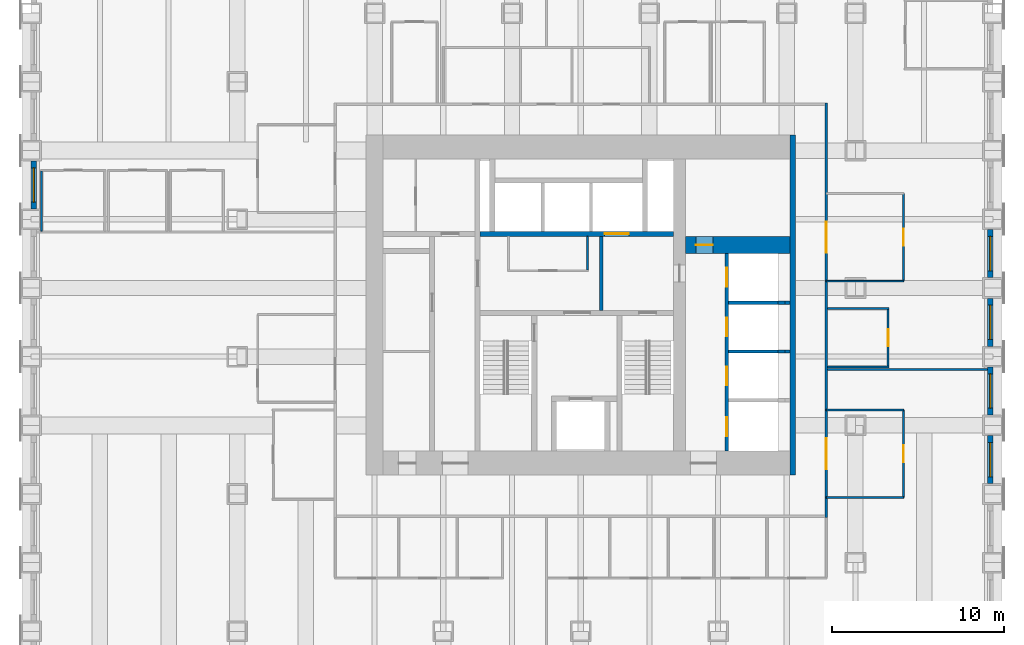
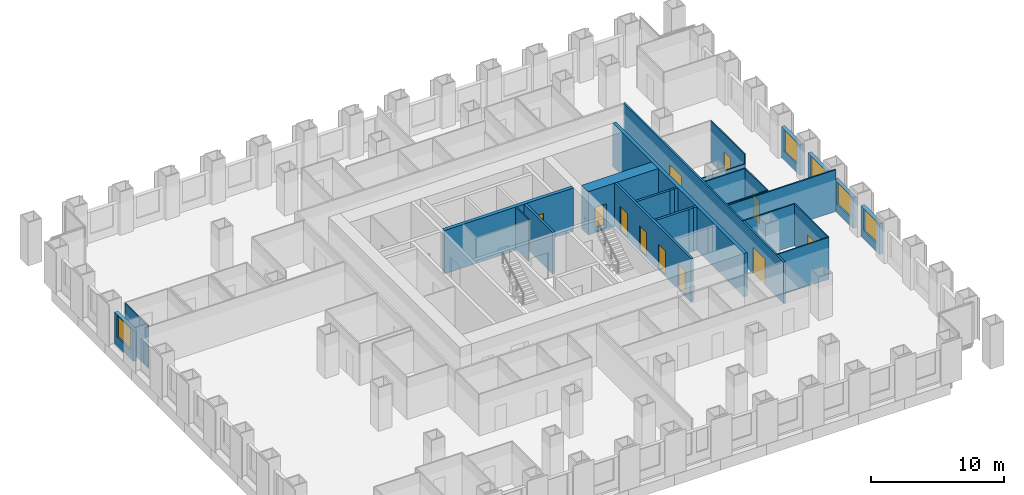
# One storey, part 10 of 14: 28 walls, 11 doors, 5 windows, 16 openings.
"""IFC4 building model written with IfcOpenShell, lengths in metres."""

from ifc_helpers import new_model, si_unit, direction, frame, frame_2d, origin, place, context, subcontext, project, spatial, rectangle, extrude, material, layer, layer_set, type_object, element, fill, save


model = new_model("IFC4")

# Units and contexts
model_context = context("Model", 3, precision=1e-05, world=origin(), true_north=direction((0.0, 1.0)))
body_context = subcontext(model_context, "Body", "Model", "MODEL_VIEW")
ifc_project = project(units=[si_unit("LENGTHUNIT", "METRE"), si_unit("AREAUNIT", "SQUARE_METRE"), si_unit("VOLUMEUNIT", "CUBIC_METRE"), si_unit("PLANEANGLEUNIT", "RADIAN"), si_unit("MASSUNIT", "GRAM", prefix="KILO")], contexts=[model_context])

# Site, building, storey
site_placement = place(None, origin())
site = spatial("IfcSite", under=ifc_project, at=site_placement, CompositionType="ELEMENT")
building_placement = place(site_placement, origin())
building = spatial("IfcBuilding", under=site, at=building_placement, Name="Rimbunsela Tower", CompositionType="ELEMENT")
storey_placement = place(building_placement, frame((0.0, 0.0, 59.0)))
storey = spatial("IfcBuildingStorey", under=building, at=storey_placement, Name="L14", CompositionType="ELEMENT", Elevation=59.0)

# Wall, opening, door
ifc_material_1 = material(Name="Concrete fc' 80 MPa", Category="concrete")
ifc_layer_1 = layer(ifc_material_1, 0.300048828125)
ifc_layer_set_1 = layer_set([ifc_layer_1], Name="Core internal wall 300")
wall_type_1 = type_object("IfcWallType", Name="Core internal wall 300", PredefinedType="SHEAR", material=ifc_layer_set_1)
wall_1_placement = place(storey_placement, frame((24.14990234375, 31.14990234375, -0.14990234375), z_axis=(0.0, 0.0, 1.0), x_axis=(1.0, 0.0, 0.0)))
wall_1 = element("IfcWall", 1, at=wall_1_placement, inside=storey, type_object=wall_type_1, Name="Lift shaft front north", PredefinedType="SHEAR", context=body_context, shape_type="SweptSolid", body=[
    extrude(rectangle(XDim=11.25, YDim=0.300048828125, at=frame_2d((5.625, 0.0))), origin(), (0.0, 0.0, 1.0), 4.0),
])
opening_1_placement = place(wall_1_placement, frame((7.25, 0.0, 0.14990234375)))
opening_1 = element("IfcOpeningElement", 2, at=opening_1_placement, cuts=wall_1, Name="Opening LD3", PredefinedType="OPENING", context=body_context, shape_type="SweptSolid", body=[
    extrude(rectangle(XDim=1.39990234375, YDim=2.39990234375, at=frame_2d((0.699951171875, 1.199951171875))), frame((0.0, 0.159912109375, 0.0), z_axis=(0.0, -1.0, 0.0), x_axis=(1.0, 0.0, 0.0)), (0.0, 0.0, 1.0), 0.320068359375),
])
ifc_material_2 = material(Name="Steel door, fire rated", Category="steel")
door_type_1 = type_object("IfcDoorType", Name="Lift landing door 1400", OperationType="DOUBLE_DOOR_SLIDING", PredefinedType="DOOR", material=ifc_material_2)
door_1_placement = place(opening_1_placement, origin())
door_1 = element("IfcDoor", 3, at=door_1_placement, inside=storey, type_object=door_type_1, Name="Lift landing door FL2", OperationType="DOUBLE_DOOR_SLIDING", OverallHeight=2.39990234375, OverallWidth=1.39990234375, PredefinedType="DOOR", context=body_context, shape_type="SweptSolid", body=[
    extrude(rectangle(XDim=1.39990234375, YDim=2.39990234375, at=frame_2d((0.699951171875, 1.199951171875))), frame((0.0, 0.02490234375, 0.0), z_axis=(0.0, -1.0, 0.0), x_axis=(1.0, 0.0, 0.0)), (0.0, 0.0, 1.0), 0.050048828125),
])
fill(opening_1, door_1)

# Wall
ifc_material_3 = material(Name="Concrete blockwork", Category="masonry")
ifc_layer_2 = layer(ifc_material_3, 0.10009765625)
ifc_layer_set_2 = layer_set([ifc_layer_2], Name="Core room partition 100")
wall_type_2 = type_object("IfcWallType", Name="Core room partition 100", PredefinedType="PARTITIONING", material=ifc_layer_set_2)
wall_2_placement = place(storey_placement, frame((30.39990234375, 29.050048828125, 0.0), z_axis=(0.0, 0.0, 1.0), x_axis=(0.0, 1.0, 0.0)))
element("IfcWall", 4, at=wall_2_placement, inside=storey, type_object=wall_type_2, Name="Lobby room wall", PredefinedType="PARTITIONING", context=body_context, shape_type="SweptSolid", body=[
    extrude(rectangle(XDim=1.949951171875, YDim=0.10009765625, at=frame_2d((0.97509765625, 0.0))), origin(), (0.0, 0.0, 1.0), 3.85009765625),
])

# Wall, opening, door
ifc_material_4 = material(Name="Concrete fc' 80 MPa", Category="concrete")
ifc_layer_3 = layer(ifc_material_4, 1.0)
ifc_layer_set_3 = layer_set([ifc_layer_3], Name="Core wall 1000")
wall_type_3 = type_object("IfcWallType", Name="Core wall 1000", PredefinedType="SHEAR", material=ifc_layer_set_3)
wall_3_placement = place(storey_placement, frame((36.10009765625, 30.5, -0.14990234375), z_axis=(0.0, 0.0, 1.0), x_axis=(1.0, 0.0, 0.0)))
wall_3 = element("IfcWall", 5, at=wall_3_placement, inside=storey, type_object=wall_type_3, Name="Lift shaft rear east", PredefinedType="SHEAR", context=body_context, shape_type="SweptSolid", body=[
    extrude(rectangle(XDim=6.099853515625, YDim=1.0, at=frame_2d((3.0498046875, 0.0))), origin(), (0.0, 0.0, 1.0), 4.0),
])
opening_2_placement = place(wall_3_placement, frame((0.60009765625, 0.0, 0.14990234375)))
opening_2 = element("IfcOpeningElement", 6, at=opening_2_placement, cuts=wall_3, Name="Opening D19", PredefinedType="OPENING", context=body_context, shape_type="SweptSolid", body=[
    extrude(rectangle(XDim=1.0, YDim=2.199951171875, at=frame_2d((0.5, 1.10009765625))), frame((0.0, 0.510009765625, 0.0), z_axis=(0.0, -1.0, 0.0), x_axis=(1.0, 0.0, 0.0)), (0.0, 0.0, 1.0), 1.02001953125),
])
ifc_material_5 = material(Name="Steel door, fire rated", Category="steel")
door_type_2 = type_object("IfcDoorType", Name="Service door 1000 fire rated", OperationType="SINGLE_SWING_LEFT", PredefinedType="DOOR", material=ifc_material_5)
door_2_placement = place(opening_2_placement, origin())
door_2 = element("IfcDoor", 7, at=door_2_placement, inside=storey, type_object=door_type_2, Name="Communications room door", OperationType="SINGLE_SWING_LEFT", OverallHeight=2.199951171875, OverallWidth=1.0, PredefinedType="DOOR", context=body_context, shape_type="SweptSolid", body=[
    extrude(rectangle(XDim=1.0, YDim=2.199951171875, at=frame_2d((0.5, 1.10009765625))), frame((0.0, 0.02490234375, 0.0), z_axis=(0.0, -1.0, 0.0), x_axis=(1.0, 0.0, 0.0)), (0.0, 0.0, 1.0), 0.050048828125),
])
fill(opening_2, door_2)

# Wall
ifc_material_6 = material(Name="Concrete fc' 80 MPa", Category="concrete")
ifc_layer_4 = layer(ifc_material_6, 0.300048828125)
ifc_layer_set_4 = layer_set([ifc_layer_4], Name="Core wall 300")
wall_type_4 = type_object("IfcWallType", Name="Core wall 300", PredefinedType="SHEAR", material=ifc_layer_set_4)
wall_4_placement = place(storey_placement, frame((42.35009765625, 17.10009765625, -0.14990234375), z_axis=(0.0, 0.0, 1.0), x_axis=(0.0, 1.0, 0.0)))
element("IfcWall", 8, at=wall_4_placement, inside=storey, type_object=wall_type_4, Name="Core wall east", PredefinedType="SHEAR", context=body_context, shape_type="SweptSolid", body=[
    extrude(rectangle(XDim=19.7998046875, YDim=0.300048828125, at=frame_2d((9.89990234375, 0.0))), origin(), (0.0, 0.0, 1.0), 4.0),
])

# Wall, openings, doors
ifc_material_7 = material(Name="Concrete blockwork", Category="masonry")
ifc_layer_5 = layer(ifc_material_7, 0.199951171875)
ifc_layer_set_5 = layer_set([ifc_layer_5], Name="Lift shaft wall 200")
wall_type_5 = type_object("IfcWallType", Name="Lift shaft wall 200", PredefinedType="SOLIDWALL", material=ifc_layer_set_5)
wall_5_placement = place(storey_placement, frame((38.5, 18.5, -0.14990234375), z_axis=(0.0, 0.0, 1.0), x_axis=(0.0, 1.0, 0.0)))
wall_5 = element("IfcWall", 9, at=wall_5_placement, inside=storey, type_object=wall_type_5, Name="Lift shaft front east", PredefinedType="SOLIDWALL", context=body_context, shape_type="SweptSolid", body=[
    extrude(rectangle(XDim=11.5, YDim=0.199951171875, at=frame_2d((5.75, 0.0))), origin(), (0.0, 0.0, 1.0), 4.0),
])
opening_3_placement = place(wall_5_placement, frame((0.875, 0.0, 0.14990234375)))
opening_3 = element("IfcOpeningElement", 10, at=opening_3_placement, cuts=wall_5, Name="Opening LD1", PredefinedType="OPENING", context=body_context, shape_type="SweptSolid", body=[
    extrude(rectangle(XDim=1.10009765625, YDim=2.199951171875, at=frame_2d((0.550048828125, 1.10009765625))), frame((0.0, 0.10986328125, 0.0), z_axis=(0.0, -1.0, 0.0), x_axis=(1.0, 0.0, 0.0)), (0.0, 0.0, 1.0), 0.219970703125),
])
opening_4_placement = place(wall_5_placement, frame((3.824951171875, 0.0, 0.14990234375)))
opening_4 = element("IfcOpeningElement", 11, at=opening_4_placement, cuts=wall_5, Name="Opening LD1", PredefinedType="OPENING", context=body_context, shape_type="SweptSolid", body=[
    extrude(rectangle(XDim=1.10009765625, YDim=2.199951171875, at=frame_2d((0.550048828125, 1.10009765625))), frame((0.0, 0.10986328125, 0.0), z_axis=(0.0, -1.0, 0.0), x_axis=(1.0, 0.0, 0.0)), (0.0, 0.0, 1.0), 0.219970703125),
])
opening_5_placement = place(wall_5_placement, frame((6.675048828125, 0.0, 0.14990234375)))
opening_5 = element("IfcOpeningElement", 12, at=opening_5_placement, cuts=wall_5, Name="Opening LD1", PredefinedType="OPENING", context=body_context, shape_type="SweptSolid", body=[
    extrude(rectangle(XDim=1.10009765625, YDim=2.199951171875, at=frame_2d((0.550048828125, 1.10009765625))), frame((0.0, 0.10986328125, 0.0), z_axis=(0.0, -1.0, 0.0), x_axis=(1.0, 0.0, 0.0)), (0.0, 0.0, 1.0), 0.219970703125),
])
opening_6_placement = place(wall_5_placement, frame((9.574951171875, 0.0, 0.14990234375)))
opening_6 = element("IfcOpeningElement", 13, at=opening_6_placement, cuts=wall_5, Name="Opening LD1", PredefinedType="OPENING", context=body_context, shape_type="SweptSolid", body=[
    extrude(rectangle(XDim=1.10009765625, YDim=2.199951171875, at=frame_2d((0.550048828125, 1.10009765625))), frame((0.0, 0.10986328125, 0.0), z_axis=(0.0, -1.0, 0.0), x_axis=(1.0, 0.0, 0.0)), (0.0, 0.0, 1.0), 0.219970703125),
])
ifc_material_8 = material(Name="Steel door, fire rated", Category="steel")
door_type_3 = type_object("IfcDoorType", Name="Lift landing door 1100", OperationType="DOUBLE_DOOR_SLIDING", PredefinedType="DOOR", material=ifc_material_8)
door_3_placement = place(opening_3_placement, origin())
door_3 = element("IfcDoor", 14, at=door_3_placement, inside=storey, type_object=door_type_3, Name="Lift landing door LL1", OperationType="DOUBLE_DOOR_SLIDING", OverallHeight=2.199951171875, OverallWidth=1.10009765625, PredefinedType="DOOR", context=body_context, shape_type="SweptSolid", body=[
    extrude(rectangle(XDim=1.10009765625, YDim=2.199951171875, at=frame_2d((0.550048828125, 1.10009765625))), frame((0.0, 0.02490234375, 0.0), z_axis=(0.0, -1.0, 0.0), x_axis=(1.0, 0.0, 0.0)), (0.0, 0.0, 1.0), 0.050048828125),
])
fill(opening_3, door_3)
door_4_placement = place(opening_4_placement, origin())
door_4 = element("IfcDoor", 15, at=door_4_placement, inside=storey, type_object=door_type_3, Name="Lift landing door LL2", OperationType="DOUBLE_DOOR_SLIDING", OverallHeight=2.199951171875, OverallWidth=1.10009765625, PredefinedType="DOOR", context=body_context, shape_type="SweptSolid", body=[
    extrude(rectangle(XDim=1.10009765625, YDim=2.199951171875, at=frame_2d((0.550048828125, 1.10009765625))), frame((0.0, 0.02490234375, 0.0), z_axis=(0.0, -1.0, 0.0), x_axis=(1.0, 0.0, 0.0)), (0.0, 0.0, 1.0), 0.050048828125),
])
fill(opening_4, door_4)
door_5_placement = place(opening_5_placement, origin())
door_5 = element("IfcDoor", 16, at=door_5_placement, inside=storey, type_object=door_type_3, Name="Lift landing door LL3", OperationType="DOUBLE_DOOR_SLIDING", OverallHeight=2.199951171875, OverallWidth=1.10009765625, PredefinedType="DOOR", context=body_context, shape_type="SweptSolid", body=[
    extrude(rectangle(XDim=1.10009765625, YDim=2.199951171875, at=frame_2d((0.550048828125, 1.10009765625))), frame((0.0, 0.02490234375, 0.0), z_axis=(0.0, -1.0, 0.0), x_axis=(1.0, 0.0, 0.0)), (0.0, 0.0, 1.0), 0.050048828125),
])
fill(opening_5, door_5)
door_6_placement = place(opening_6_placement, origin())
door_6 = element("IfcDoor", 17, at=door_6_placement, inside=storey, type_object=door_type_3, Name="Lift landing door LL4", OperationType="DOUBLE_DOOR_SLIDING", OverallHeight=2.199951171875, OverallWidth=1.10009765625, PredefinedType="DOOR", context=body_context, shape_type="SweptSolid", body=[
    extrude(rectangle(XDim=1.10009765625, YDim=2.199951171875, at=frame_2d((0.550048828125, 1.10009765625))), frame((0.0, 0.02490234375, 0.0), z_axis=(0.0, -1.0, 0.0), x_axis=(1.0, 0.0, 0.0)), (0.0, 0.0, 1.0), 0.050048828125),
])
fill(opening_6, door_6)

# Walls
wall_6_placement = place(storey_placement, frame((38.60009765625, 24.300048828125, -0.14990234375), z_axis=(0.0, 0.0, 1.0), x_axis=(1.0, 0.0, 0.0)))
element("IfcWall", 18, at=wall_6_placement, inside=storey, type_object=wall_type_5, Name="Lift shaft separation", PredefinedType="SOLIDWALL", context=body_context, shape_type="SweptSolid", body=[
    extrude(rectangle(XDim=2.89990234375, YDim=0.199951171875, at=frame_2d((1.449951171875, 0.0))), origin(), (0.0, 0.0, 1.0), 4.0),
])
wall_7_placement = place(storey_placement, frame((41.5, 24.300048828125, -0.14990234375), z_axis=(0.0, 0.0, 1.0), x_axis=(1.0, 0.0, 0.0)))
element("IfcWall", 19, at=wall_7_placement, inside=storey, type_object=wall_type_5, Name="Lift shaft separation", PredefinedType="SOLIDWALL", context=body_context, shape_type="SweptSolid", body=[
    extrude(rectangle(XDim=0.39990234375, YDim=0.199951171875, at=frame_2d((0.199951171875, 0.0))), origin(), (0.0, 0.0, 1.0), 4.0),
])
wall_8_placement = place(storey_placement, frame((41.89990234375, 24.300048828125, -0.14990234375), z_axis=(0.0, 0.0, 1.0), x_axis=(1.0, 0.0, 0.0)))
element("IfcWall", 20, at=wall_8_placement, inside=storey, type_object=wall_type_5, Name="Lift shaft separation", PredefinedType="SOLIDWALL", context=body_context, shape_type="SweptSolid", body=[
    extrude(rectangle(XDim=0.300048828125, YDim=0.199951171875, at=frame_2d((0.14990234375, 0.0))), origin(), (0.0, 0.0, 1.0), 4.0),
])
wall_9_placement = place(storey_placement, frame((38.60009765625, 27.14990234375, -0.14990234375), z_axis=(0.0, 0.0, 1.0), x_axis=(1.0, 0.0, 0.0)))
element("IfcWall", 21, at=wall_9_placement, inside=storey, type_object=wall_type_5, Name="Lift shaft separation", PredefinedType="SOLIDWALL", context=body_context, shape_type="SweptSolid", body=[
    extrude(rectangle(XDim=2.89990234375, YDim=0.199951171875, at=frame_2d((1.449951171875, 0.0))), origin(), (0.0, 0.0, 1.0), 4.0),
])
wall_10_placement = place(storey_placement, frame((41.5, 27.14990234375, -0.14990234375), z_axis=(0.0, 0.0, 1.0), x_axis=(1.0, 0.0, 0.0)))
element("IfcWall", 22, at=wall_10_placement, inside=storey, type_object=wall_type_5, Name="Lift shaft separation", PredefinedType="SOLIDWALL", context=body_context, shape_type="SweptSolid", body=[
    extrude(rectangle(XDim=0.39990234375, YDim=0.199951171875, at=frame_2d((0.199951171875, 0.0))), origin(), (0.0, 0.0, 1.0), 4.0),
])
wall_11_placement = place(storey_placement, frame((41.89990234375, 27.14990234375, -0.14990234375), z_axis=(0.0, 0.0, 1.0), x_axis=(1.0, 0.0, 0.0)))
element("IfcWall", 23, at=wall_11_placement, inside=storey, type_object=wall_type_5, Name="Lift shaft separation", PredefinedType="SOLIDWALL", context=body_context, shape_type="SweptSolid", body=[
    extrude(rectangle(XDim=0.300048828125, YDim=0.199951171875, at=frame_2d((0.14990234375, 0.0))), origin(), (0.0, 0.0, 1.0), 4.0),
])
wall_12_placement = place(storey_placement, frame((31.199951171875, 26.699951171875, 0.0), z_axis=(0.0, 0.0, 1.0), x_axis=(0.0, 1.0, 0.0)))
element("IfcWall", 24, at=wall_12_placement, inside=storey, type_object=wall_type_5, Name="Firefighting lobby 2 wall", PredefinedType="SOLIDWALL", context=body_context, shape_type="SweptSolid", body=[
    extrude(rectangle(XDim=4.300048828125, YDim=0.199951171875, at=frame_2d((2.14990234375, 0.0))), origin(), (0.0, 0.0, 1.0), 3.85009765625),
])
ifc_material_9 = material(Name="Gypsum board on steel studs", Category="steel")
ifc_layer_6 = layer(ifc_material_9, 0.10009765625)
ifc_layer_set_6 = layer_set([ifc_layer_6], Name="Office partition 100")
wall_type_6 = type_object("IfcWallType", Name="Office partition 100", PredefinedType="PARTITIONING", material=ifc_layer_set_6)
for number, where, z_axis, x_axis, name in (
    (25, (44.375, 23.39990234375, 0.0), (0.0, 0.0, 1.0), (1.0, 0.0, 0.0), "Office partition"),
    (26, (44.375, 26.800048828125, 0.0), (0.0, 0.0, 1.0), (1.0, 0.0, 0.0), "Office partition"),
):
    element("IfcWall", number, at=place(storey_placement, frame(where, z_axis=z_axis, x_axis=x_axis)), inside=storey, type_object=wall_type_6, Name=name, PredefinedType="PARTITIONING", context=body_context, shape_type="SweptSolid", body=[
        extrude(rectangle(XDim=3.574951171875, YDim=0.10009765625, at=frame_2d((1.78759765625, 0.0))), origin(), (0.0, 0.0, 1.0), 3.85009765625),
    ])
wall_13_placement = place(storey_placement, frame((-1.39990234375, 31.31005859375, 0.0), z_axis=(0.0, 0.0, 1.0), x_axis=(0.0, 1.0, 0.0)))
element("IfcWall", 27, at=wall_13_placement, inside=storey, type_object=wall_type_6, Name="Office partition", PredefinedType="PARTITIONING", context=body_context, shape_type="SweptSolid", body=[
    extrude(rectangle(XDim=3.489990234375, YDim=0.10009765625, at=frame_2d((1.7451171875, 0.0))), origin(), (0.0, 0.0, 1.0), 3.85009765625),
])

# Wall, opening, door
wall_14_placement = place(storey_placement, frame((47.89990234375, 23.449951171875, 0.0), z_axis=(0.0, 0.0, 1.0), x_axis=(0.0, 1.0, 0.0)))
wall_14 = element("IfcWall", 28, at=wall_14_placement, inside=storey, type_object=wall_type_6, Name="Office partition", PredefinedType="PARTITIONING", context=body_context, shape_type="SweptSolid", body=[
    extrude(rectangle(XDim=3.300048828125, YDim=0.10009765625, at=frame_2d((1.64990234375, 0.0))), origin(), (0.0, 0.0, 1.0), 3.85009765625),
])
opening_7_placement = place(wall_14_placement, frame((1.14990234375, 0.0, 0.0)))
opening_7 = element("IfcOpeningElement", 29, at=opening_7_placement, cuts=wall_14, Name="Opening D16", PredefinedType="OPENING", context=body_context, shape_type="SweptSolid", body=[
    extrude(rectangle(XDim=1.0, YDim=2.199951171875, at=frame_2d((0.5, 1.10009765625))), frame((0.0, 0.06005859375, 0.0), z_axis=(0.0, -1.0, 0.0), x_axis=(1.0, 0.0, 0.0)), (0.0, 0.0, 1.0), 0.1201171875),
])
ifc_material_10 = material(Name="Timber door", Category="wood")
door_type_4 = type_object("IfcDoorType", Name="Office door 1000", OperationType="SINGLE_SWING_LEFT", PredefinedType="DOOR", material=ifc_material_10)
door_7_placement = place(opening_7_placement, origin())
door_7 = element("IfcDoor", 30, at=door_7_placement, inside=storey, type_object=door_type_4, Name="Office door", OperationType="SINGLE_SWING_LEFT", OverallHeight=2.199951171875, OverallWidth=1.0, PredefinedType="DOOR", context=body_context, shape_type="SweptSolid", body=[
    extrude(rectangle(XDim=1.0, YDim=2.199951171875, at=frame_2d((0.5, 1.10009765625))), frame((0.0, 0.02490234375, 0.0), z_axis=(0.0, -1.0, 0.0), x_axis=(1.0, 0.0, 0.0)), (0.0, 0.0, 1.0), 0.050048828125),
])
fill(opening_7, door_7)

# Wall
wall_15_placement = place(storey_placement, frame((44.300048828125, 15.800048828125, 0.0), z_axis=(0.0, 0.0, 1.0), x_axis=(1.0, 0.0, 0.0)))
element("IfcWall", 31, at=wall_15_placement, inside=storey, type_object=wall_type_6, Name="Office partition", PredefinedType="PARTITIONING", context=body_context, shape_type="SweptSolid", body=[
    extrude(rectangle(XDim=4.5, YDim=0.10009765625, at=frame_2d((2.25, 0.0))), origin(), (0.0, 0.0, 1.0), 3.85009765625),
])

# Wall, opening, door
wall_16_placement = place(storey_placement, frame((48.800048828125, 15.800048828125, 0.0), z_axis=(0.0, 0.0, 1.0), x_axis=(0.0, 1.0, 0.0)))
wall_16 = element("IfcWall", 32, at=wall_16_placement, inside=storey, type_object=wall_type_6, Name="Office partition", PredefinedType="PARTITIONING", context=body_context, shape_type="SweptSolid", body=[
    extrude(rectangle(XDim=5.099853515625, YDim=0.10009765625, at=frame_2d((2.5498046875, 0.0))), origin(), (0.0, 0.0, 1.0), 3.85009765625),
])
opening_8_placement = place(wall_16_placement, frame((2.050048828125, 0.0, 0.0)))
opening_8 = element("IfcOpeningElement", 33, at=opening_8_placement, cuts=wall_16, Name="Opening D17", PredefinedType="OPENING", context=body_context, shape_type="SweptSolid", body=[
    extrude(rectangle(XDim=1.0, YDim=2.199951171875, at=frame_2d((0.5, 1.10009765625))), frame((0.0, 0.06005859375, 0.0), z_axis=(0.0, -1.0, 0.0), x_axis=(1.0, 0.0, 0.0)), (0.0, 0.0, 1.0), 0.1201171875),
])
ifc_material_11 = material(Name="Glazed aluminium door", Category="aluminium")
door_type_5 = type_object("IfcDoorType", Name="Meeting room door 1000 glazed", OperationType="SINGLE_SWING_RIGHT", PredefinedType="DOOR", material=ifc_material_11)
door_8_placement = place(opening_8_placement, origin())
door_8 = element("IfcDoor", 34, at=door_8_placement, inside=storey, type_object=door_type_5, Name="Reception door", OperationType="SINGLE_SWING_RIGHT", OverallHeight=2.199951171875, OverallWidth=1.0, PredefinedType="DOOR", context=body_context, shape_type="SweptSolid", body=[
    extrude(rectangle(XDim=1.0, YDim=2.199951171875, at=frame_2d((0.5, 1.10009765625))), frame((0.0, 0.02490234375, 0.0), z_axis=(0.0, -1.0, 0.0), x_axis=(1.0, 0.0, 0.0)), (0.0, 0.0, 1.0), 0.050048828125),
])
fill(opening_8, door_8)

# Walls
wall_17_placement = place(storey_placement, frame((48.800048828125, 20.89990234375, 0.0), z_axis=(0.0, 0.0, 1.0), x_axis=(-1.0, 0.0, 0.0)))
element("IfcWall", 35, at=wall_17_placement, inside=storey, type_object=wall_type_6, Name="Office partition", PredefinedType="PARTITIONING", context=body_context, shape_type="SweptSolid", body=[
    extrude(rectangle(XDim=4.5, YDim=0.10009765625, at=frame_2d((2.25, 0.0))), origin(), (0.0, 0.0, 1.0), 3.85009765625),
])
wall_18_placement = place(storey_placement, frame((44.300048828125, 28.39990234375, 0.0), z_axis=(0.0, 0.0, 1.0), x_axis=(1.0, 0.0, 0.0)))
element("IfcWall", 36, at=wall_18_placement, inside=storey, type_object=wall_type_6, Name="Office partition", PredefinedType="PARTITIONING", context=body_context, shape_type="SweptSolid", body=[
    extrude(rectangle(XDim=4.5, YDim=0.10009765625, at=frame_2d((2.25, 0.0))), origin(), (0.0, 0.0, 1.0), 2.949951171875),
])

# Wall, opening, door
wall_19_placement = place(storey_placement, frame((48.800048828125, 28.39990234375, 0.0), z_axis=(0.0, 0.0, 1.0), x_axis=(0.0, 1.0, 0.0)))
wall_19 = element("IfcWall", 37, at=wall_19_placement, inside=storey, type_object=wall_type_6, Name="Office partition", PredefinedType="PARTITIONING", context=body_context, shape_type="SweptSolid", body=[
    extrude(rectangle(XDim=5.10009765625, YDim=0.10009765625, at=frame_2d((2.550048828125, 0.0))), origin(), (0.0, 0.0, 1.0), 3.85009765625),
])
opening_9_placement = place(wall_19_placement, frame((2.050048828125, 0.0, 0.0)))
opening_9 = element("IfcOpeningElement", 38, at=opening_9_placement, cuts=wall_19, Name="Opening D17", PredefinedType="OPENING", context=body_context, shape_type="SweptSolid", body=[
    extrude(rectangle(XDim=1.0, YDim=2.199951171875, at=frame_2d((0.5, 1.10009765625))), frame((0.0, 0.06005859375, 0.0), z_axis=(0.0, -1.0, 0.0), x_axis=(1.0, 0.0, 0.0)), (0.0, 0.0, 1.0), 0.1201171875),
])
door_9_placement = place(opening_9_placement, origin())
door_9 = element("IfcDoor", 39, at=door_9_placement, inside=storey, type_object=door_type_5, Name="Reception door", OperationType="SINGLE_SWING_RIGHT", OverallHeight=2.199951171875, OverallWidth=1.0, PredefinedType="DOOR", context=body_context, shape_type="SweptSolid", body=[
    extrude(rectangle(XDim=1.0, YDim=2.199951171875, at=frame_2d((0.5, 1.10009765625))), frame((0.0, 0.02490234375, 0.0), z_axis=(0.0, -1.0, 0.0), x_axis=(1.0, 0.0, 0.0)), (0.0, 0.0, 1.0), 0.050048828125),
])
fill(opening_9, door_9)

# Wall, opening, window
ifc_material_12 = material(Name="Precast concrete fc' 35 MPa", Category="concrete")
ifc_layer_7 = layer(ifc_material_12, 0.300048828125)
ifc_layer_set_7 = layer_set([ifc_layer_7], Name="Precast concrete fc' 35 MPa")
wall_type_7 = type_object("IfcWallType", Name="Precast facade panel 300", PredefinedType="ELEMENTEDWALL", material=ifc_layer_set_7)
wall_20_placement = place(storey_placement, frame((53.85009765625, 16.60009765625, 0.0), z_axis=(0.0, 0.0, 1.0), x_axis=(0.0, 1.0, 0.0)))
wall_20 = element("IfcWall", 40, at=wall_20_placement, inside=storey, type_object=wall_type_7, Name="Facade panel E L14", PredefinedType="ELEMENTEDWALL", context=body_context, shape_type="SweptSolid", body=[
    extrude(rectangle(XDim=2.7998046875, YDim=0.300048828125, at=frame_2d((1.39990234375, 0.0))), origin(), (0.0, 0.0, 1.0), 2.85009765625),
])
opening_10_placement = place(wall_20_placement, frame((0.39990234375, 0.0, 0.800048828125)))
opening_10 = element("IfcOpeningElement", 41, at=opening_10_placement, cuts=wall_20, Name="Opening W1", PredefinedType="OPENING", context=body_context, shape_type="SweptSolid", body=[
    extrude(rectangle(XDim=2.0, YDim=2.0, at=frame_2d((1.0, 1.0))), frame((0.0, 0.159912109375, 0.0), z_axis=(0.0, -1.0, 0.0), x_axis=(1.0, 0.0, 0.0)), (0.0, 0.0, 1.0), 0.320068359375),
])
ifc_material_13 = material(Name="Clear glass in aluminium frame", Category="aluminium")
window_type = type_object("IfcWindowType", Name="Window W1 2000x2000", PartitioningType="DOUBLE_PANEL_VERTICAL", PredefinedType="WINDOW", material=ifc_material_13)
window_1_placement = place(opening_10_placement, origin())
window_1 = element("IfcWindow", 42, at=window_1_placement, inside=storey, type_object=window_type, Name="Window L14", OverallHeight=2.0, OverallWidth=2.0, PartitioningType="SINGLE_PANEL", PredefinedType="WINDOW", context=body_context, shape_type="SweptSolid", body=[
    extrude(rectangle(XDim=2.0, YDim=2.0, at=frame_2d((1.0, 1.0))), frame((0.0, 0.030029296875, 0.0), z_axis=(0.0, -1.0, 0.0), x_axis=(1.0, 0.0, 0.0)), (0.0, 0.0, 1.0), 0.06005859375),
])
fill(opening_10, window_1)

wall_21_placement = place(storey_placement, frame((53.85009765625, 20.60009765625, 0.0), z_axis=(0.0, 0.0, 1.0), x_axis=(0.0, 1.0, 0.0)))
wall_21 = element("IfcWall", 43, at=wall_21_placement, inside=storey, type_object=wall_type_7, Name="Facade panel E L14", PredefinedType="ELEMENTEDWALL", context=body_context, shape_type="SweptSolid", body=[
    extrude(rectangle(XDim=2.7998046875, YDim=0.300048828125, at=frame_2d((1.39990234375, 0.0))), origin(), (0.0, 0.0, 1.0), 2.85009765625),
])
opening_11_placement = place(wall_21_placement, frame((0.39990234375, 0.0, 0.800048828125)))
opening_11 = element("IfcOpeningElement", 44, at=opening_11_placement, cuts=wall_21, Name="Opening W1", PredefinedType="OPENING", context=body_context, shape_type="SweptSolid", body=[
    extrude(rectangle(XDim=2.0, YDim=2.0, at=frame_2d((1.0, 1.0))), frame((0.0, 0.159912109375, 0.0), z_axis=(0.0, -1.0, 0.0), x_axis=(1.0, 0.0, 0.0)), (0.0, 0.0, 1.0), 0.320068359375),
])
window_2_placement = place(opening_11_placement, origin())
window_2 = element("IfcWindow", 45, at=window_2_placement, inside=storey, type_object=window_type, Name="Window L14", OverallHeight=2.0, OverallWidth=2.0, PartitioningType="SINGLE_PANEL", PredefinedType="WINDOW", context=body_context, shape_type="SweptSolid", body=[
    extrude(rectangle(XDim=2.0, YDim=2.0, at=frame_2d((1.0, 1.0))), frame((0.0, 0.030029296875, 0.0), z_axis=(0.0, -1.0, 0.0), x_axis=(1.0, 0.0, 0.0)), (0.0, 0.0, 1.0), 0.06005859375),
])
fill(opening_11, window_2)

wall_22_placement = place(storey_placement, frame((53.85009765625, 24.60009765625, 0.0), z_axis=(0.0, 0.0, 1.0), x_axis=(0.0, 1.0, 0.0)))
wall_22 = element("IfcWall", 46, at=wall_22_placement, inside=storey, type_object=wall_type_7, Name="Facade panel E L14", PredefinedType="ELEMENTEDWALL", context=body_context, shape_type="SweptSolid", body=[
    extrude(rectangle(XDim=2.7998046875, YDim=0.300048828125, at=frame_2d((1.39990234375, 0.0))), origin(), (0.0, 0.0, 1.0), 2.85009765625),
])
opening_12_placement = place(wall_22_placement, frame((0.39990234375, 0.0, 0.800048828125)))
opening_12 = element("IfcOpeningElement", 47, at=opening_12_placement, cuts=wall_22, Name="Opening W1", PredefinedType="OPENING", context=body_context, shape_type="SweptSolid", body=[
    extrude(rectangle(XDim=2.0, YDim=2.0, at=frame_2d((1.0, 1.0))), frame((0.0, 0.159912109375, 0.0), z_axis=(0.0, -1.0, 0.0), x_axis=(1.0, 0.0, 0.0)), (0.0, 0.0, 1.0), 0.320068359375),
])
window_3_placement = place(opening_12_placement, origin())
window_3 = element("IfcWindow", 48, at=window_3_placement, inside=storey, type_object=window_type, Name="Window L14", OverallHeight=2.0, OverallWidth=2.0, PartitioningType="SINGLE_PANEL", PredefinedType="WINDOW", context=body_context, shape_type="SweptSolid", body=[
    extrude(rectangle(XDim=2.0, YDim=2.0, at=frame_2d((1.0, 1.0))), frame((0.0, 0.030029296875, 0.0), z_axis=(0.0, -1.0, 0.0), x_axis=(1.0, 0.0, 0.0)), (0.0, 0.0, 1.0), 0.06005859375),
])
fill(opening_12, window_3)

wall_23_placement = place(storey_placement, frame((53.85009765625, 28.60009765625, 0.0), z_axis=(0.0, 0.0, 1.0), x_axis=(0.0, 1.0, 0.0)))
wall_23 = element("IfcWall", 49, at=wall_23_placement, inside=storey, type_object=wall_type_7, Name="Facade panel E L14", PredefinedType="ELEMENTEDWALL", context=body_context, shape_type="SweptSolid", body=[
    extrude(rectangle(XDim=2.7998046875, YDim=0.300048828125, at=frame_2d((1.39990234375, 0.0))), origin(), (0.0, 0.0, 1.0), 2.85009765625),
])
opening_13_placement = place(wall_23_placement, frame((0.39990234375, 0.0, 0.800048828125)))
opening_13 = element("IfcOpeningElement", 50, at=opening_13_placement, cuts=wall_23, Name="Opening W1", PredefinedType="OPENING", context=body_context, shape_type="SweptSolid", body=[
    extrude(rectangle(XDim=2.0, YDim=2.0, at=frame_2d((1.0, 1.0))), frame((0.0, 0.159912109375, 0.0), z_axis=(0.0, -1.0, 0.0), x_axis=(1.0, 0.0, 0.0)), (0.0, 0.0, 1.0), 0.320068359375),
])
window_4_placement = place(opening_13_placement, origin())
window_4 = element("IfcWindow", 51, at=window_4_placement, inside=storey, type_object=window_type, Name="Window L14", OverallHeight=2.0, OverallWidth=2.0, PartitioningType="SINGLE_PANEL", PredefinedType="WINDOW", context=body_context, shape_type="SweptSolid", body=[
    extrude(rectangle(XDim=2.0, YDim=2.0, at=frame_2d((1.0, 1.0))), frame((0.0, 0.030029296875, 0.0), z_axis=(0.0, -1.0, 0.0), x_axis=(1.0, 0.0, 0.0)), (0.0, 0.0, 1.0), 0.06005859375),
])
fill(opening_13, window_4)

wall_24_placement = place(storey_placement, frame((-1.85009765625, 35.39990234375, 0.0), z_axis=(0.0, 0.0, 1.0), x_axis=(0.0, -1.0, 0.0)))
wall_24 = element("IfcWall", 52, at=wall_24_placement, inside=storey, type_object=wall_type_7, Name="Facade panel W L14", PredefinedType="ELEMENTEDWALL", context=body_context, shape_type="SweptSolid", body=[
    extrude(rectangle(XDim=2.7998046875, YDim=0.300048828125, at=frame_2d((1.39990234375, 0.0))), origin(), (0.0, 0.0, 1.0), 2.85009765625),
])
opening_14_placement = place(wall_24_placement, frame((0.39990234375, 0.0, 0.800048828125)))
opening_14 = element("IfcOpeningElement", 53, at=opening_14_placement, cuts=wall_24, Name="Opening W1", PredefinedType="OPENING", context=body_context, shape_type="SweptSolid", body=[
    extrude(rectangle(XDim=2.0, YDim=2.0, at=frame_2d((1.0, 1.0))), frame((0.0, 0.159912109375, 0.0), z_axis=(0.0, -1.0, 0.0), x_axis=(1.0, 0.0, 0.0)), (0.0, 0.0, 1.0), 0.320068359375),
])
window_5_placement = place(opening_14_placement, origin())
window_5 = element("IfcWindow", 54, at=window_5_placement, inside=storey, type_object=window_type, Name="Window L14", OverallHeight=2.0, OverallWidth=2.0, PartitioningType="SINGLE_PANEL", PredefinedType="WINDOW", context=body_context, shape_type="SweptSolid", body=[
    extrude(rectangle(XDim=2.0, YDim=2.0, at=frame_2d((1.0, 1.0))), frame((0.0, 0.030029296875, 0.0), z_axis=(0.0, -1.0, 0.0), x_axis=(1.0, 0.0, 0.0)), (0.0, 0.0, 1.0), 0.06005859375),
])
fill(opening_14, window_5)

# Wall, openings, doors
ifc_material_14 = material(Name="Fire-rated gypsum board on steel studs, EI 60", Category="steel")
ifc_layer_8 = layer(ifc_material_14, 0.14990234375)
ifc_layer_set_8 = layer_set([ifc_layer_8], Name="Rated corridor wall 150")
wall_type_8 = type_object("IfcWallType", Name="Rated corridor wall 150", PredefinedType="PARTITIONING", material=ifc_layer_set_8)
wall_25_placement = place(storey_placement, frame((44.300048828125, 14.625, 0.0), z_axis=(0.0, 0.0, 1.0), x_axis=(0.0, 1.0, 0.0)))
wall_25 = element("IfcWall", 55, at=wall_25_placement, inside=storey, type_object=wall_type_8, Name="Corridor wall east", PredefinedType="PARTITIONING", context=body_context, shape_type="SweptSolid", body=[
    extrude(rectangle(XDim=24.14990234375, YDim=0.14990234375, at=frame_2d((12.074951171875, 0.0))), origin(), (0.0, 0.0, 1.0), 3.85009765625),
])
opening_15_placement = place(wall_25_placement, frame((2.824951171875, 0.0, 0.0)))
opening_15 = element("IfcOpeningElement", 56, at=opening_15_placement, cuts=wall_25, Name="Opening D09", PredefinedType="OPENING", context=body_context, shape_type="SweptSolid", body=[
    extrude(rectangle(XDim=1.800048828125, YDim=2.39990234375, at=frame_2d((0.89990234375, 1.199951171875))), frame((0.0, 0.0849609375, 0.0), z_axis=(0.0, -1.0, 0.0), x_axis=(1.0, 0.0, 0.0)), (0.0, 0.0, 1.0), 0.169921875),
])
opening_16_placement = place(wall_25_placement, frame((15.425048828125, 0.0, 0.0)))
opening_16 = element("IfcOpeningElement", 57, at=opening_16_placement, cuts=wall_25, Name="Opening D09", PredefinedType="OPENING", context=body_context, shape_type="SweptSolid", body=[
    extrude(rectangle(XDim=1.800048828125, YDim=2.39990234375, at=frame_2d((0.89990234375, 1.199951171875))), frame((0.0, 0.0849609375, 0.0), z_axis=(0.0, -1.0, 0.0), x_axis=(1.0, 0.0, 0.0)), (0.0, 0.0, 1.0), 0.169921875),
])
ifc_material_15 = material(Name="Glazed aluminium door, fire rated", Category="aluminium")
door_type_6 = type_object("IfcDoorType", Name="Tenancy door 1800 glazed", OperationType="DOUBLE_DOOR_DOUBLE_SWING", PredefinedType="DOOR", material=ifc_material_15)
door_10_placement = place(opening_15_placement, origin())
door_10 = element("IfcDoor", 58, at=door_10_placement, inside=storey, type_object=door_type_6, Name="Tenancy door", OperationType="DOUBLE_DOOR_DOUBLE_SWING", OverallHeight=2.39990234375, OverallWidth=1.800048828125, PredefinedType="DOOR", context=body_context, shape_type="SweptSolid", body=[
    extrude(rectangle(XDim=1.800048828125, YDim=2.39990234375, at=frame_2d((0.89990234375, 1.199951171875))), frame((0.0, 0.02490234375, 0.0), z_axis=(0.0, -1.0, 0.0), x_axis=(1.0, 0.0, 0.0)), (0.0, 0.0, 1.0), 0.050048828125),
])
fill(opening_15, door_10)
door_11_placement = place(opening_16_placement, origin())
door_11 = element("IfcDoor", 59, at=door_11_placement, inside=storey, type_object=door_type_6, Name="Tenancy door", OperationType="DOUBLE_DOOR_DOUBLE_SWING", OverallHeight=2.39990234375, OverallWidth=1.800048828125, PredefinedType="DOOR", context=body_context, shape_type="SweptSolid", body=[
    extrude(rectangle(XDim=1.800048828125, YDim=2.39990234375, at=frame_2d((0.89990234375, 1.199951171875))), frame((0.0, 0.02490234375, 0.0), z_axis=(0.0, -1.0, 0.0), x_axis=(1.0, 0.0, 0.0)), (0.0, 0.0, 1.0), 0.050048828125),
])
fill(opening_16, door_11)

# Wall
ifc_material_16 = material(Name="Gypsum board on steel studs", Category="steel")
ifc_layer_9 = layer(ifc_material_16, 0.1201171875)
ifc_layer_set_9 = layer_set([ifc_layer_9], Name="Tenancy partition 120")
wall_type_9 = type_object("IfcWallType", Name="Tenancy partition 120", PredefinedType="PARTITIONING", material=ifc_layer_set_9)
wall_26_placement = place(storey_placement, frame((44.375, 23.25, 0.0), z_axis=(0.0, 0.0, 1.0), x_axis=(1.0, 0.0, 0.0)))
element("IfcWall", 60, at=wall_26_placement, inside=storey, type_object=wall_type_9, Name="Tenancy partition", PredefinedType="PARTITIONING", context=body_context, shape_type="SweptSolid", body=[
    extrude(rectangle(XDim=9.324951171875, YDim=0.1201171875, at=frame_2d((4.66259765625, 0.0))), origin(), (0.0, 0.0, 1.0), 3.85009765625),
])

save(model, "model.ifc")
